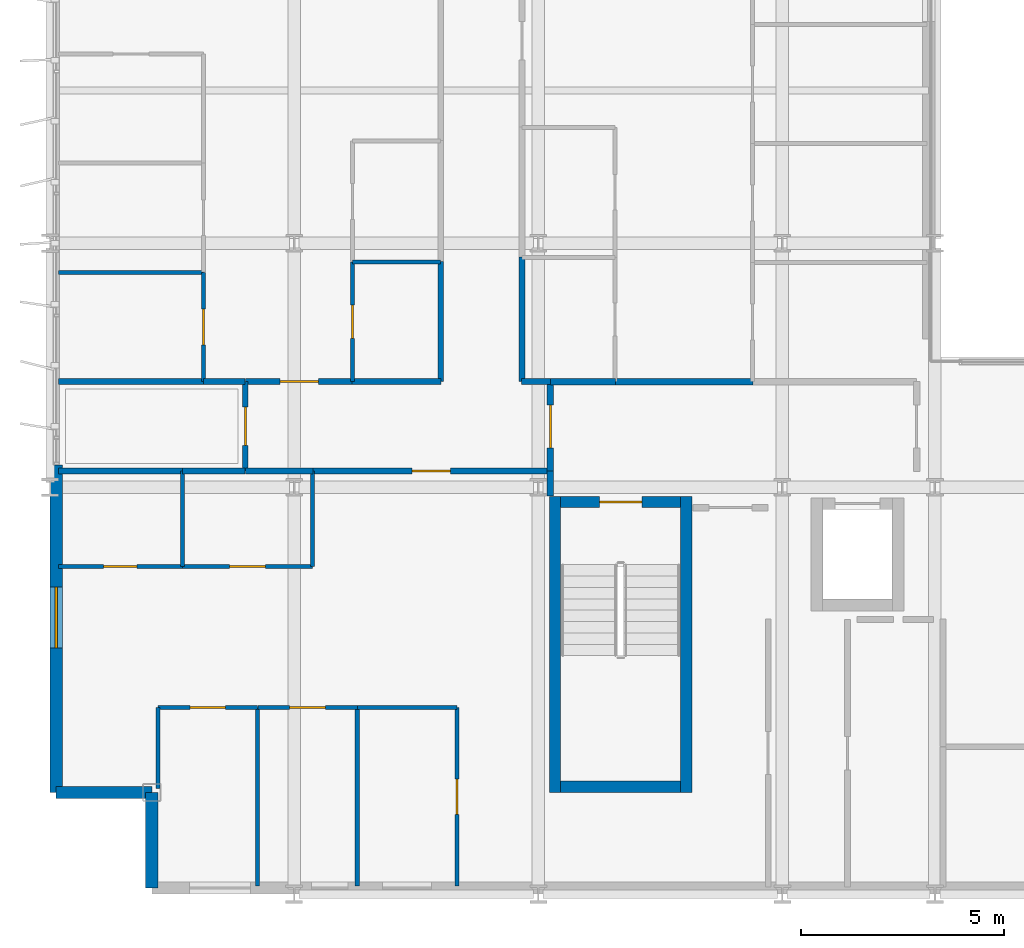
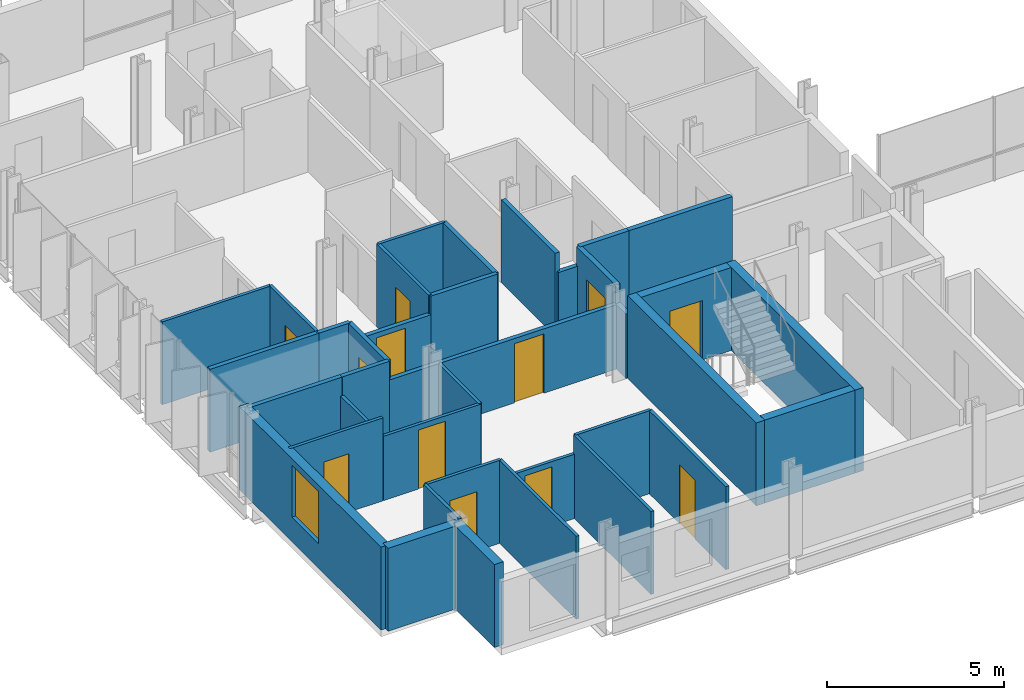
# One storey, part 27 of 38: 38 walls, 12 doors, 1 window, 13 openings.
"""IFC4 building model written with IfcOpenShell, lengths in metres."""

from ifc_helpers import new_model, si_unit, direction, frame, frame_2d, origin, place, context, subcontext, project, spatial, rectangle, extrude, material, layer, layer_set, type_object, element, fill, save


model = new_model("IFC4")

# Units and contexts
model_context = context("Model", 3, precision=1e-05, world=origin(), true_north=direction((0.0, 1.0)))
body_context = subcontext(model_context, "Body", "Model", "MODEL_VIEW")
ifc_project = project(units=[si_unit("LENGTHUNIT", "METRE"), si_unit("AREAUNIT", "SQUARE_METRE"), si_unit("VOLUMEUNIT", "CUBIC_METRE"), si_unit("PLANEANGLEUNIT", "RADIAN"), si_unit("MASSUNIT", "GRAM", prefix="KILO")], contexts=[model_context])

# Site, building, storey
site_placement = place(None, origin())
site = spatial("IfcSite", under=ifc_project, at=site_placement, CompositionType="ELEMENT")
building_placement = place(site_placement, origin())
building = spatial("IfcBuilding", under=site, at=building_placement, Name="Brevholm Reach", CompositionType="ELEMENT")
storey_placement = place(building_placement, frame((0.0, 0.0, 71.39990234375)))
storey = spatial("IfcBuildingStorey", under=building, at=storey_placement, Name="L20", CompositionType="ELEMENT", Elevation=71.39990234375)

# Walls
ifc_material_1 = material(Name="Concrete C50/60", Category="concrete")
ifc_layer_1 = layer(ifc_material_1, 0.280029296875)
ifc_layer_set_1 = layer_set([ifc_layer_1], Name="Concrete C50/60")
wall_type_1 = type_object("IfcWallType", Name="WAL-COR-280", PredefinedType="SHEAR", material=ifc_layer_set_1)
for number, where, z_axis, x_axis, name in (
    (1, (12.409912109375, 2.5, 0.0), (0.0, 0.0, 1.0), (0.0, 1.0, 0.0), "L20 Escape Stair ST-1 Core Wall W"),
    (2, (15.639892578125, 2.5, 0.0), (0.0, 0.0, 1.0), (0.0, 1.0, 0.0), "L20 Escape Stair ST-1 Core Wall E"),
):
    element("IfcWall", number, at=place(storey_placement, frame(where, z_axis=z_axis, x_axis=x_axis)), inside=storey, type_object=wall_type_1, Name=name, PredefinedType="SHEAR", context=body_context, shape_type="SweptSolid", body=[
        extrude(rectangle(XDim=7.280029296875, YDim=0.280029296875, at=frame_2d((3.64013671875, 0.0))), origin(), (0.0, 0.0, 1.0), 2.8701171875),
    ])
wall_1_placement = place(storey_placement, frame((12.550048828125, 2.639892578125, 0.0), z_axis=(0.0, 0.0, 1.0), x_axis=(1.0, 0.0, 0.0)))
element("IfcWall", 3, at=wall_1_placement, inside=storey, type_object=wall_type_1, Name="L20 Escape Stair ST-1 Core Wall S", PredefinedType="SHEAR", context=body_context, shape_type="SweptSolid", body=[
    extrude(rectangle(XDim=2.949951171875, YDim=0.280029296875, at=frame_2d((1.47509765625, 0.0))), origin(), (0.0, 0.0, 1.0), 2.8701171875),
])

# Wall, opening, door
wall_2_placement = place(storey_placement, frame((15.5, 9.639892578125, 0.0), z_axis=(0.0, 0.0, 1.0), x_axis=(-1.0, 0.0, 0.0)))
wall_2 = element("IfcWall", 4, at=wall_2_placement, inside=storey, type_object=wall_type_1, Name="L20 Escape Stair ST-1 Core Wall N", PredefinedType="SHEAR", context=body_context, shape_type="SweptSolid", body=[
    extrude(rectangle(XDim=2.949951171875, YDim=0.280029296875, at=frame_2d((1.47509765625, 0.0))), origin(), (0.0, 0.0, 1.0), 2.8701171875),
])
opening_1_placement = place(wall_2_placement, frame((0.949951171875, 0.0, 0.0)))
opening_1 = element("IfcOpeningElement", 5, at=opening_1_placement, cuts=wall_2, Name="Opening SD-ST-1", PredefinedType="OPENING", context=body_context, shape_type="SweptSolid", body=[
    extrude(rectangle(XDim=1.050048828125, YDim=2.06005859375, at=frame_2d((0.52490234375, 1.030029296875))), frame((0.0, 0.14990234375, 0.0), z_axis=(0.0, -1.0, 0.0), x_axis=(1.0, 0.0, 0.0)), (0.0, 0.0, 1.0), 0.300048828125),
])
ifc_material_2 = material(Name="Hardwood-Lipped Steel-Core Fire and Smoke Door", Category="steel")
door_type_1 = type_object("IfcDoorType", Name="DOR-INT-FD60S", OperationType="NOTDEFINED", PredefinedType="DOOR", material=ifc_material_2)
door_1_placement = place(opening_1_placement, origin())
door_1 = element("IfcDoor", 6, at=door_1_placement, inside=storey, type_object=door_type_1, Name="L20 Protected Stair ST-1 Lobby Door", OperationType="SINGLE_SWING_RIGHT", OverallHeight=2.06005859375, OverallWidth=1.050048828125, PredefinedType="DOOR", context=body_context, shape_type="SweptSolid", body=[
    extrude(rectangle(XDim=1.050048828125, YDim=2.06005859375, at=frame_2d((0.52490234375, 1.030029296875))), frame((0.0, 0.02490234375, 0.0), z_axis=(0.0, -1.0, 0.0), x_axis=(1.0, 0.0, 0.0)), (0.0, 0.0, 1.0), 0.050048828125),
])
fill(opening_1, door_1)

# Walls
ifc_material_3 = material(Name="Concrete C40/50", Category="concrete")
ifc_layer_2 = layer(ifc_material_3, 0.300048828125)
ifc_layer_set_2 = layer_set([ifc_layer_2], Name="Concrete C40/50")
wall_type_2 = type_object("IfcWallType", Name="WAL-EXT-300", PredefinedType="STANDARD", material=ifc_layer_set_2)
for number, where, z_axis, x_axis, name in (
    (7, (2.5, 2.5, 0.0), (0.0, 0.0, 1.0), (0.0, -1.0, 0.0), "L20 Facade Wall WAL-L20-CSW1"),
    (8, (0.14990234375, 2.5, 0.0), (0.0, 0.0, 1.0), (1.0, 0.0, 0.0), "L20 Facade Wall WAL-L20-CSW2"),
):
    element("IfcWall", number, at=place(storey_placement, frame(where, z_axis=z_axis, x_axis=x_axis)), inside=storey, type_object=wall_type_2, Name=name, PredefinedType="STANDARD", context=body_context, shape_type="SweptSolid", body=[
        extrude(rectangle(XDim=2.35009765625, YDim=0.300048828125, at=frame_2d((1.175048828125, 0.0))), origin(), (0.0, 0.0, 1.0), 2.8701171875),
    ])

# Wall, opening, window
wall_3_placement = place(storey_placement, frame((0.14990234375, 10.550048828125, 0.0), z_axis=(0.0, 0.0, 1.0), x_axis=(0.0, -1.0, 0.0)))
wall_3 = element("IfcWall", 9, at=wall_3_placement, inside=storey, type_object=wall_type_2, Name="L20 Facade Wall WAL-L20-W-S", PredefinedType="STANDARD", context=body_context, shape_type="SweptSolid", body=[
    extrude(rectangle(XDim=8.050048828125, YDim=0.300048828125, at=frame_2d((4.02490234375, 0.0))), origin(), (0.0, 0.0, 1.0), 2.8701171875),
])
opening_2_placement = place(wall_3_placement, frame((3.0, 0.0, 0.85009765625)))
opening_2 = element("IfcOpeningElement", 10, at=opening_2_placement, cuts=wall_3, Name="Opening WN-05", PredefinedType="OPENING", context=body_context, shape_type="SweptSolid", body=[
    extrude(rectangle(XDim=1.5, YDim=1.800048828125, at=frame_2d((0.75, 0.89990234375))), frame((0.0, 0.159912109375, 0.0), z_axis=(0.0, -1.0, 0.0), x_axis=(1.0, 0.0, 0.0)), (0.0, 0.0, 1.0), 0.320068359375),
])
ifc_material_4 = material(Name="Dark Anodised Aluminium and Solar-Control IGU Glass", Category="aluminium")
window_type = type_object("IfcWindowType", Name="WIN-RES-1500", PartitioningType="SINGLE_PANEL", PredefinedType="WINDOW", material=ifc_material_4)
window_placement = place(opening_2_placement, origin())
window = element("IfcWindow", 11, at=window_placement, inside=storey, type_object=window_type, Name="L20 Window WIN-L20-WS-1", OverallHeight=1.800048828125, OverallWidth=1.5, PartitioningType="SINGLE_PANEL", PredefinedType="WINDOW", context=body_context, shape_type="SweptSolid", body=[
    extrude(rectangle(XDim=1.5, YDim=1.800048828125, at=frame_2d((0.75, 0.89990234375))), frame((0.0, 0.030029296875, 0.0), z_axis=(0.0, -1.0, 0.0), x_axis=(1.0, 0.0, 0.0)), (0.0, 0.0, 1.0), 0.06005859375),
])
fill(opening_2, window)

# Wall
ifc_material_5 = material(Name="Moisture-Resistant Acoustic Gypsum Stud Partition 100 mm", Category="gypsum")
ifc_layer_3 = layer(ifc_material_5, 0.10009765625)
ifc_layer_set_3 = layer_set([ifc_layer_3], Name="Moisture-Resistant Acoustic Gypsum Stud Partition 100 mm")
wall_type_3 = type_object("IfcWallType", Name="WAL-PRT-100", PredefinedType="PARTITIONING", material=ifc_layer_set_3)
wall_4_placement = place(storey_placement, frame((3.25, 8.053955078125, 0.0), z_axis=(0.0, 0.0, 1.0), x_axis=(0.0, 1.0, 0.0)))
element("IfcWall", 12, at=wall_4_placement, inside=storey, type_object=wall_type_3, Name="L20 Internal Partition 060", PredefinedType="PARTITIONING", context=body_context, shape_type="SweptSolid", body=[
    extrude(rectangle(XDim=2.345947265625, YDim=0.10009765625, at=frame_2d((1.1728515625, 0.0))), origin(), (0.0, 0.0, 1.0), 2.224853515625),
])

# Wall, opening, door
wall_5_placement = place(storey_placement, frame((0.199951171875, 8.053955078125, 0.0), z_axis=(0.0, 0.0, 1.0), x_axis=(1.0, 0.0, 0.0)))
wall_5 = element("IfcWall", 13, at=wall_5_placement, inside=storey, type_object=wall_type_3, Name="L20 Internal Partition 061", PredefinedType="PARTITIONING", context=body_context, shape_type="SweptSolid", body=[
    extrude(rectangle(XDim=3.050048828125, YDim=0.10009765625, at=frame_2d((1.52490234375, 0.0))), origin(), (0.0, 0.0, 1.0), 2.8701171875),
])
opening_3_placement = place(wall_5_placement, frame((1.114990234375, 0.0, 0.0)))
opening_3 = element("IfcOpeningElement", 14, at=opening_3_placement, cuts=wall_5, Name="Opening ID-03", PredefinedType="OPENING", context=body_context, shape_type="SweptSolid", body=[
    extrude(rectangle(XDim=0.820068359375, YDim=2.02001953125, at=frame_2d((0.41015625, 1.010009765625))), frame((0.0, 0.06005859375, 0.0), z_axis=(0.0, -1.0, 0.0), x_axis=(1.0, 0.0, 0.0)), (0.0, 0.0, 1.0), 0.1201171875),
])
ifc_material_6 = material(Name="Moisture-Resistant Painted Timber Internal Bathroom Door", Category="wood")
door_type_2 = type_object("IfcDoorType", Name="DOR-BATH-820", OperationType="NOTDEFINED", PredefinedType="DOOR", material=ifc_material_6)
door_2_placement = place(opening_3_placement, origin())
door_2 = element("IfcDoor", 15, at=door_2_placement, inside=storey, type_object=door_type_2, Name="L20 Internal Door 021", OperationType="SINGLE_SWING_RIGHT", OverallHeight=2.02001953125, OverallWidth=0.820068359375, PredefinedType="DOOR", context=body_context, shape_type="SweptSolid", body=[
    extrude(rectangle(XDim=0.820068359375, YDim=2.02001953125, at=frame_2d((0.41015625, 1.010009765625))), frame((0.0, 0.02490234375, 0.0), z_axis=(0.0, -1.0, 0.0), x_axis=(1.0, 0.0, 0.0)), (0.0, 0.0, 1.0), 0.050048828125),
])
fill(opening_3, door_2)

wall_6_placement = place(storey_placement, frame((3.25390625, 8.053955078125, 0.0), z_axis=(0.0, 0.0, 1.0), x_axis=(1.0, 0.0, 0.0)))
wall_6 = element("IfcWall", 16, at=wall_6_placement, inside=storey, type_object=wall_type_3, Name="L20 Internal Partition 063", PredefinedType="PARTITIONING", context=body_context, shape_type="SweptSolid", body=[
    extrude(rectangle(XDim=3.196044921875, YDim=0.10009765625, at=frame_2d((1.59814453125, 0.0))), origin(), (0.0, 0.0, 1.0), 2.224853515625),
])
opening_4_placement = place(wall_6_placement, frame((1.157958984375, 0.0, 0.0)))
opening_4 = element("IfcOpeningElement", 17, at=opening_4_placement, cuts=wall_6, Name="Opening ID-01", PredefinedType="OPENING", context=body_context, shape_type="SweptSolid", body=[
    extrude(rectangle(XDim=0.8798828125, YDim=2.0400390625, at=frame_2d((0.43994140625, 1.02001953125))), frame((0.0, 0.06005859375, 0.0), z_axis=(0.0, -1.0, 0.0), x_axis=(1.0, 0.0, 0.0)), (0.0, 0.0, 1.0), 0.1201171875),
])
ifc_material_7 = material(Name="Lacquered Ash Solid-Core Acoustic Internal Door", Category="timber")
door_type_3 = type_object("IfcDoorType", Name="DOR-INT-880", OperationType="NOTDEFINED", PredefinedType="DOOR", material=ifc_material_7)
door_3_placement = place(opening_4_placement, origin())
door_3 = element("IfcDoor", 18, at=door_3_placement, inside=storey, type_object=door_type_3, Name="L20 Internal Door 022", OperationType="SINGLE_SWING_LEFT", OverallHeight=2.0400390625, OverallWidth=0.8798828125, PredefinedType="DOOR", context=body_context, shape_type="SweptSolid", body=[
    extrude(rectangle(XDim=0.8798828125, YDim=2.0400390625, at=frame_2d((0.43994140625, 1.02001953125))), frame((0.0, 0.02490234375, 0.0), z_axis=(0.0, -1.0, 0.0), x_axis=(1.0, 0.0, 0.0)), (0.0, 0.0, 1.0), 0.050048828125),
])
fill(opening_4, door_3)

# Walls
wall_7_placement = place(storey_placement, frame((6.449951171875, 8.053955078125, 0.0), z_axis=(0.0, 0.0, 1.0), x_axis=(0.0, 1.0, 0.0)))
element("IfcWall", 19, at=wall_7_placement, inside=storey, type_object=wall_type_3, Name="L20 Internal Partition 064", PredefinedType="PARTITIONING", context=body_context, shape_type="SweptSolid", body=[
    extrude(rectangle(XDim=2.342041015625, YDim=0.10009765625, at=frame_2d((1.1708984375, 0.0))), origin(), (0.0, 0.0, 1.0), 2.224853515625),
])
wall_8_placement = place(storey_placement, frame((5.10009765625, 0.199951171875, 0.0), z_axis=(0.0, 0.0, 1.0), x_axis=(0.0, 1.0, 0.0)))
element("IfcWall", 20, at=wall_8_placement, inside=storey, type_object=wall_type_3, Name="L20 Internal Partition 066", PredefinedType="PARTITIONING", context=body_context, shape_type="SweptSolid", body=[
    extrude(rectangle(XDim=4.385986328125, YDim=0.10009765625, at=frame_2d((2.19287109375, 0.0))), origin(), (0.0, 0.0, 1.0), 2.8701171875),
])
wall_9_placement = place(storey_placement, frame((2.64990234375, 2.599365234375, 0.0), z_axis=(0.0, 0.0, 1.0), x_axis=(0.0, 1.0, 0.0)))
element("IfcWall", 21, at=wall_9_placement, inside=storey, type_object=wall_type_3, Name="L20 Internal Partition 067", PredefinedType="PARTITIONING", context=body_context, shape_type="SweptSolid", body=[
    extrude(rectangle(XDim=1.986572265625, YDim=0.10009765625, at=frame_2d((0.9931640625, 0.0))), origin(), (0.0, 0.0, 1.0), 2.8701171875),
])

# Wall, opening, door
wall_10_placement = place(storey_placement, frame((2.64990234375, 4.5859375, 0.0), z_axis=(0.0, 0.0, 1.0), x_axis=(1.0, 0.0, 0.0)))
wall_10 = element("IfcWall", 22, at=wall_10_placement, inside=storey, type_object=wall_type_3, Name="L20 Internal Partition 068", PredefinedType="PARTITIONING", context=body_context, shape_type="SweptSolid", body=[
    extrude(rectangle(XDim=2.4501953125, YDim=0.10009765625, at=frame_2d((1.22509765625, 0.0))), origin(), (0.0, 0.0, 1.0), 2.8701171875),
])
opening_5_placement = place(wall_10_placement, frame((0.784912109375, 0.0, 0.0)))
opening_5 = element("IfcOpeningElement", 23, at=opening_5_placement, cuts=wall_10, Name="Opening ID-01", PredefinedType="OPENING", context=body_context, shape_type="SweptSolid", body=[
    extrude(rectangle(XDim=0.8798828125, YDim=2.0400390625, at=frame_2d((0.43994140625, 1.02001953125))), frame((0.0, 0.06005859375, 0.0), z_axis=(0.0, -1.0, 0.0), x_axis=(1.0, 0.0, 0.0)), (0.0, 0.0, 1.0), 0.1201171875),
])
door_4_placement = place(opening_5_placement, origin())
door_4 = element("IfcDoor", 24, at=door_4_placement, inside=storey, type_object=door_type_3, Name="L20 Internal Door 023", OperationType="SINGLE_SWING_RIGHT", OverallHeight=2.0400390625, OverallWidth=0.8798828125, PredefinedType="DOOR", context=body_context, shape_type="SweptSolid", body=[
    extrude(rectangle(XDim=0.8798828125, YDim=2.0400390625, at=frame_2d((0.43994140625, 1.02001953125))), frame((0.0, 0.02490234375, 0.0), z_axis=(0.0, -1.0, 0.0), x_axis=(1.0, 0.0, 0.0)), (0.0, 0.0, 1.0), 0.050048828125),
])
fill(opening_5, door_4)

# Wall
wall_11_placement = place(storey_placement, frame((7.550048828125, 0.199951171875, 0.0), z_axis=(0.0, 0.0, 1.0), x_axis=(0.0, 1.0, 0.0)))
element("IfcWall", 25, at=wall_11_placement, inside=storey, type_object=wall_type_3, Name="L20 Internal Partition 069", PredefinedType="PARTITIONING", context=body_context, shape_type="SweptSolid", body=[
    extrude(rectangle(XDim=4.385986328125, YDim=0.10009765625, at=frame_2d((2.19287109375, 0.0))), origin(), (0.0, 0.0, 1.0), 2.8701171875),
])

# Wall, opening, door
wall_12_placement = place(storey_placement, frame((5.10400390625, 4.5859375, 0.0), z_axis=(0.0, 0.0, 1.0), x_axis=(1.0, 0.0, 0.0)))
wall_12 = element("IfcWall", 26, at=wall_12_placement, inside=storey, type_object=wall_type_3, Name="L20 Internal Partition 070", PredefinedType="PARTITIONING", context=body_context, shape_type="SweptSolid", body=[
    extrude(rectangle(XDim=2.446044921875, YDim=0.10009765625, at=frame_2d((1.22314453125, 0.0))), origin(), (0.0, 0.0, 1.0), 2.224853515625),
])
opening_6_placement = place(wall_12_placement, frame((0.782958984375, 0.0, 0.0)))
opening_6 = element("IfcOpeningElement", 27, at=opening_6_placement, cuts=wall_12, Name="Opening ID-01", PredefinedType="OPENING", context=body_context, shape_type="SweptSolid", body=[
    extrude(rectangle(XDim=0.8798828125, YDim=2.0400390625, at=frame_2d((0.43994140625, 1.02001953125))), frame((0.0, 0.06005859375, 0.0), z_axis=(0.0, -1.0, 0.0), x_axis=(1.0, 0.0, 0.0)), (0.0, 0.0, 1.0), 0.1201171875),
])
door_5_placement = place(opening_6_placement, origin())
door_5 = element("IfcDoor", 28, at=door_5_placement, inside=storey, type_object=door_type_3, Name="L20 Internal Door 024", OperationType="SINGLE_SWING_LEFT", OverallHeight=2.0400390625, OverallWidth=0.8798828125, PredefinedType="DOOR", context=body_context, shape_type="SweptSolid", body=[
    extrude(rectangle(XDim=0.8798828125, YDim=2.0400390625, at=frame_2d((0.43994140625, 1.02001953125))), frame((0.0, 0.02490234375, 0.0), z_axis=(0.0, -1.0, 0.0), x_axis=(1.0, 0.0, 0.0)), (0.0, 0.0, 1.0), 0.050048828125),
])
fill(opening_6, door_5)

wall_13_placement = place(storey_placement, frame((10.0, 0.199951171875, 0.0), z_axis=(0.0, 0.0, 1.0), x_axis=(0.0, 1.0, 0.0)))
wall_13 = element("IfcWall", 29, at=wall_13_placement, inside=storey, type_object=wall_type_3, Name="L20 Internal Partition 071", PredefinedType="PARTITIONING", context=body_context, shape_type="SweptSolid", body=[
    extrude(rectangle(XDim=4.385986328125, YDim=0.10009765625, at=frame_2d((2.19287109375, 0.0))), origin(), (0.0, 0.0, 1.0), 2.8701171875),
])
opening_7_placement = place(wall_13_placement, frame((1.7529296875, 0.0, 0.0)))
opening_7 = element("IfcOpeningElement", 30, at=opening_7_placement, cuts=wall_13, Name="Opening ID-01", PredefinedType="OPENING", context=body_context, shape_type="SweptSolid", body=[
    extrude(rectangle(XDim=0.8798828125, YDim=2.0400390625, at=frame_2d((0.43994140625, 1.02001953125))), frame((0.0, 0.06005859375, 0.0), z_axis=(0.0, -1.0, 0.0), x_axis=(1.0, 0.0, 0.0)), (0.0, 0.0, 1.0), 0.1201171875),
])
door_6_placement = place(opening_7_placement, origin())
door_6 = element("IfcDoor", 31, at=door_6_placement, inside=storey, type_object=door_type_3, Name="L20 Internal Door 025", OperationType="SINGLE_SWING_RIGHT", OverallHeight=2.0400390625, OverallWidth=0.8798828125, PredefinedType="DOOR", context=body_context, shape_type="SweptSolid", body=[
    extrude(rectangle(XDim=0.8798828125, YDim=2.0400390625, at=frame_2d((0.43994140625, 1.02001953125))), frame((0.0, 0.02490234375, 0.0), z_axis=(0.0, -1.0, 0.0), x_axis=(1.0, 0.0, 0.0)), (0.0, 0.0, 1.0), 0.050048828125),
])
fill(opening_7, door_6)

# Walls
wall_14_placement = place(storey_placement, frame((7.553955078125, 4.5859375, 0.0), z_axis=(0.0, 0.0, 1.0), x_axis=(1.0, 0.0, 0.0)))
element("IfcWall", 32, at=wall_14_placement, inside=storey, type_object=wall_type_3, Name="L20 Internal Partition 072", PredefinedType="PARTITIONING", context=body_context, shape_type="SweptSolid", body=[
    extrude(rectangle(XDim=2.446044921875, YDim=0.10009765625, at=frame_2d((1.22314453125, 0.0))), origin(), (0.0, 0.0, 1.0), 2.8701171875),
])
wall_15_placement = place(storey_placement, frame((7.43798828125, 15.5419921875, 0.0), z_axis=(0.0, 0.0, 1.0), x_axis=(1.0, 0.0, 0.0)))
element("IfcWall", 33, at=wall_15_placement, inside=storey, type_object=wall_type_3, Name="L20 Internal Partition 087", PredefinedType="PARTITIONING", context=body_context, shape_type="SweptSolid", body=[
    extrude(rectangle(XDim=2.157958984375, YDim=0.10009765625, at=frame_2d((1.0791015625, 0.0))), origin(), (0.0, 0.0, 1.0), 2.8701171875),
])

# Wall, opening, door
wall_16_placement = place(storey_placement, frame((7.43798828125, 12.60400390625, 0.0), z_axis=(0.0, 0.0, 1.0), x_axis=(0.0, 1.0, 0.0)))
wall_16 = element("IfcWall", 34, at=wall_16_placement, inside=storey, type_object=wall_type_3, Name="L20 Internal Partition 088", PredefinedType="PARTITIONING", context=body_context, shape_type="SweptSolid", body=[
    extrude(rectangle(XDim=2.93798828125, YDim=0.10009765625, at=frame_2d((1.468994140625, 0.0))), origin(), (0.0, 0.0, 1.0), 2.8701171875),
])
opening_8_placement = place(wall_16_placement, frame((1.05908203125, 0.0, 0.0)))
opening_8 = element("IfcOpeningElement", 35, at=opening_8_placement, cuts=wall_16, Name="Opening ID-03", PredefinedType="OPENING", context=body_context, shape_type="SweptSolid", body=[
    extrude(rectangle(XDim=0.820068359375, YDim=2.02001953125, at=frame_2d((0.41015625, 1.010009765625))), frame((0.0, 0.06005859375, 0.0), z_axis=(0.0, -1.0, 0.0), x_axis=(1.0, 0.0, 0.0)), (0.0, 0.0, 1.0), 0.1201171875),
])
door_7_placement = place(opening_8_placement, origin())
door_7 = element("IfcDoor", 36, at=door_7_placement, inside=storey, type_object=door_type_2, Name="L20 Internal Door 030", OperationType="SINGLE_SWING_LEFT", OverallHeight=2.02001953125, OverallWidth=0.820068359375, PredefinedType="DOOR", context=body_context, shape_type="SweptSolid", body=[
    extrude(rectangle(XDim=0.820068359375, YDim=2.02001953125, at=frame_2d((0.41015625, 1.010009765625))), frame((0.0, 0.02490234375, 0.0), z_axis=(0.0, -1.0, 0.0), x_axis=(1.0, 0.0, 0.0)), (0.0, 0.0, 1.0), 0.050048828125),
])
fill(opening_8, door_7)

# Wall
wall_17_placement = place(storey_placement, frame((0.199951171875, 15.284912109375, 0.0), z_axis=(0.0, 0.0, 1.0), x_axis=(1.0, 0.0, 0.0)))
element("IfcWall", 37, at=wall_17_placement, inside=storey, type_object=wall_type_3, Name="L20 Internal Partition 091", PredefinedType="PARTITIONING", context=body_context, shape_type="SweptSolid", body=[
    extrude(rectangle(XDim=3.572021484375, YDim=0.10009765625, at=frame_2d((1.7861328125, 0.0))), origin(), (0.0, 0.0, 1.0), 2.8701171875),
])

# Wall, opening, door
wall_18_placement = place(storey_placement, frame((3.77197265625, 12.60400390625, 0.0), z_axis=(0.0, 0.0, 1.0), x_axis=(0.0, 1.0, 0.0)))
wall_18 = element("IfcWall", 38, at=wall_18_placement, inside=storey, type_object=wall_type_3, Name="L20 Internal Partition 092", PredefinedType="PARTITIONING", context=body_context, shape_type="SweptSolid", body=[
    extrude(rectangle(XDim=2.680908203125, YDim=0.10009765625, at=frame_2d((1.34033203125, 0.0))), origin(), (0.0, 0.0, 1.0), 2.8701171875),
])
opening_9_placement = place(wall_18_placement, frame((0.900390625, 0.0, 0.0)))
opening_9 = element("IfcOpeningElement", 39, at=opening_9_placement, cuts=wall_18, Name="Opening ID-01", PredefinedType="OPENING", context=body_context, shape_type="SweptSolid", body=[
    extrude(rectangle(XDim=0.8798828125, YDim=2.0400390625, at=frame_2d((0.43994140625, 1.02001953125))), frame((0.0, 0.06005859375, 0.0), z_axis=(0.0, -1.0, 0.0), x_axis=(1.0, 0.0, 0.0)), (0.0, 0.0, 1.0), 0.1201171875),
])
door_8_placement = place(opening_9_placement, origin())
door_8 = element("IfcDoor", 40, at=door_8_placement, inside=storey, type_object=door_type_3, Name="L20 Internal Door 032", OperationType="SINGLE_SWING_LEFT", OverallHeight=2.0400390625, OverallWidth=0.8798828125, PredefinedType="DOOR", context=body_context, shape_type="SweptSolid", body=[
    extrude(rectangle(XDim=0.8798828125, YDim=2.0400390625, at=frame_2d((0.43994140625, 1.02001953125))), frame((0.0, 0.02490234375, 0.0), z_axis=(0.0, -1.0, 0.0), x_axis=(1.0, 0.0, 0.0)), (0.0, 0.0, 1.0), 0.050048828125),
])
fill(opening_9, door_8)

# Wall
ifc_material_8 = material(Name="Twin-Stud Acoustic Fire-Rated Gypsum Partition 140 mm", Category="gypsum")
ifc_layer_4 = layer(ifc_material_8, 0.139892578125)
ifc_layer_set_4 = layer_set([ifc_layer_4], Name="Twin-Stud Acoustic Fire-Rated Gypsum Partition 140 mm")
wall_type_4 = type_object("IfcWallType", Name="WAL-PRT-140", PredefinedType="PARTITIONING", material=ifc_layer_set_4)
wall_19_placement = place(storey_placement, frame((4.800048828125, 10.39990234375, 0.0), z_axis=(0.0, 0.0, 1.0), x_axis=(1.0, 0.0, 0.0)))
element("IfcWall", 41, at=wall_19_placement, inside=storey, type_object=wall_type_4, Name="L20 Internal Partition 025", PredefinedType="PARTITIONING", context=body_context, shape_type="SweptSolid", body=[
    extrude(rectangle(XDim=1.6611328125, YDim=0.139892578125, at=frame_2d((0.83056640625, 0.0))), origin(), (0.0, 0.0, 1.0), 2.224853515625),
])

# Wall, opening, door
wall_20_placement = place(storey_placement, frame((6.442626953125, 10.39990234375, 0.0), z_axis=(0.0, 0.0, 1.0), x_axis=(1.0, 0.0, 0.0)))
wall_20 = element("IfcWall", 42, at=wall_20_placement, inside=storey, type_object=wall_type_4, Name="L20 Internal Partition 026", PredefinedType="PARTITIONING", context=body_context, shape_type="SweptSolid", body=[
    extrude(rectangle(XDim=5.853271484375, YDim=0.139892578125, at=frame_2d((2.9267578125, 0.0))), origin(), (0.0, 0.0, 1.0), 2.224853515625),
])
opening_10_placement = place(wall_20_placement, frame((2.45166015625, 0.0, 0.0)))
opening_10 = element("IfcOpeningElement", 43, at=opening_10_placement, cuts=wall_20, Name="Opening ID-30", PredefinedType="OPENING", context=body_context, shape_type="SweptSolid", body=[
    extrude(rectangle(XDim=0.949951171875, YDim=2.050048828125, at=frame_2d((0.47509765625, 1.02490234375))), frame((0.0, 0.079833984375, 0.0), z_axis=(0.0, -1.0, 0.0), x_axis=(1.0, 0.0, 0.0)), (0.0, 0.0, 1.0), 0.159912109375),
])
ifc_material_9 = material(Name="European Oak Veneered Solid-Core Fire Entrance Door", Category="timber")
door_type_4 = type_object("IfcDoorType", Name="DOR-FLT-FD30S", OperationType="NOTDEFINED", PredefinedType="DOOR", material=ifc_material_9)
door_9_placement = place(opening_10_placement, origin())
door_9 = element("IfcDoor", 44, at=door_9_placement, inside=storey, type_object=door_type_4, Name="L20 Internal Door 012", OperationType="SINGLE_SWING_LEFT", OverallHeight=2.050048828125, OverallWidth=0.949951171875, PredefinedType="DOOR", context=body_context, shape_type="SweptSolid", body=[
    extrude(rectangle(XDim=0.949951171875, YDim=2.050048828125, at=frame_2d((0.47509765625, 1.02490234375))), frame((0.0, 0.02490234375, 0.0), z_axis=(0.0, -1.0, 0.0), x_axis=(1.0, 0.0, 0.0)), (0.0, 0.0, 1.0), 0.050048828125),
])
fill(opening_10, door_9)

wall_21_placement = place(storey_placement, frame((4.800048828125, 10.39990234375, 0.0), z_axis=(0.0, 0.0, 1.0), x_axis=(0.0, 1.0, 0.0)))
wall_21 = element("IfcWall", 45, at=wall_21_placement, inside=storey, type_object=wall_type_4, Name="L20 Internal Partition 027", PredefinedType="PARTITIONING", context=body_context, shape_type="SweptSolid", body=[
    extrude(rectangle(XDim=2.2001953125, YDim=0.139892578125, at=frame_2d((1.10009765625, 0.0))), origin(), (0.0, 0.0, 1.0), 2.8701171875),
])
opening_11_placement = place(wall_21_placement, frame((0.625, 0.0, 0.0)))
opening_11 = element("IfcOpeningElement", 46, at=opening_11_placement, cuts=wall_21, Name="Opening ID-30", PredefinedType="OPENING", context=body_context, shape_type="SweptSolid", body=[
    extrude(rectangle(XDim=0.949951171875, YDim=2.050048828125, at=frame_2d((0.47509765625, 1.02490234375))), frame((0.0, 0.079833984375, 0.0), z_axis=(0.0, -1.0, 0.0), x_axis=(1.0, 0.0, 0.0)), (0.0, 0.0, 1.0), 0.159912109375),
])
door_10_placement = place(opening_11_placement, origin())
door_10 = element("IfcDoor", 47, at=door_10_placement, inside=storey, type_object=door_type_4, Name="L20 Internal Door 013", OperationType="SINGLE_SWING_RIGHT", OverallHeight=2.050048828125, OverallWidth=0.949951171875, PredefinedType="DOOR", context=body_context, shape_type="SweptSolid", body=[
    extrude(rectangle(XDim=0.949951171875, YDim=2.050048828125, at=frame_2d((0.47509765625, 1.02490234375))), frame((0.0, 0.02490234375, 0.0), z_axis=(0.0, -1.0, 0.0), x_axis=(1.0, 0.0, 0.0)), (0.0, 0.0, 1.0), 0.050048828125),
])
fill(opening_11, door_10)

# Wall
wall_22_placement = place(storey_placement, frame((7.4267578125, 12.60009765625, 0.0), z_axis=(0.0, 0.0, 1.0), x_axis=(1.0, 0.0, 0.0)))
element("IfcWall", 48, at=wall_22_placement, inside=storey, type_object=wall_type_4, Name="L20 Internal Partition 028", PredefinedType="PARTITIONING", context=body_context, shape_type="SweptSolid", body=[
    extrude(rectangle(XDim=2.1806640625, YDim=0.139892578125, at=frame_2d((1.09033203125, 0.0))), origin(), (0.0, 0.0, 1.0), 2.8701171875),
])

# Wall, opening, door
wall_23_placement = place(storey_placement, frame((4.800048828125, 12.60009765625, 0.0), z_axis=(0.0, 0.0, 1.0), x_axis=(1.0, 0.0, 0.0)))
wall_23 = element("IfcWall", 49, at=wall_23_placement, inside=storey, type_object=wall_type_4, Name="L20 Internal Partition 029", PredefinedType="PARTITIONING", context=body_context, shape_type="SweptSolid", body=[
    extrude(rectangle(XDim=2.645263671875, YDim=0.139892578125, at=frame_2d((1.32275390625, 0.0))), origin(), (0.0, 0.0, 1.0), 2.224853515625),
])
opening_12_placement = place(wall_23_placement, frame((0.84765625, 0.0, 0.0)))
opening_12 = element("IfcOpeningElement", 50, at=opening_12_placement, cuts=wall_23, Name="Opening ID-30", PredefinedType="OPENING", context=body_context, shape_type="SweptSolid", body=[
    extrude(rectangle(XDim=0.949951171875, YDim=2.050048828125, at=frame_2d((0.47509765625, 1.02490234375))), frame((0.0, 0.079833984375, 0.0), z_axis=(0.0, -1.0, 0.0), x_axis=(1.0, 0.0, 0.0)), (0.0, 0.0, 1.0), 0.159912109375),
])
door_11_placement = place(opening_12_placement, origin())
door_11 = element("IfcDoor", 51, at=door_11_placement, inside=storey, type_object=door_type_4, Name="L20 Internal Door 014", OperationType="SINGLE_SWING_LEFT", OverallHeight=2.050048828125, OverallWidth=0.949951171875, PredefinedType="DOOR", context=body_context, shape_type="SweptSolid", body=[
    extrude(rectangle(XDim=0.949951171875, YDim=2.050048828125, at=frame_2d((0.47509765625, 1.02490234375))), frame((0.0, 0.02490234375, 0.0), z_axis=(0.0, -1.0, 0.0), x_axis=(1.0, 0.0, 0.0)), (0.0, 0.0, 1.0), 0.050048828125),
])
fill(opening_12, door_11)

# Walls
wall_24_placement = place(storey_placement, frame((11.5927734375, 12.60009765625, 0.0), z_axis=(0.0, 0.0, 1.0), x_axis=(1.0, 0.0, 0.0)))
element("IfcWall", 52, at=wall_24_placement, inside=storey, type_object=wall_type_4, Name="L20 Internal Partition 030", PredefinedType="PARTITIONING", context=body_context, shape_type="SweptSolid", body=[
    extrude(rectangle(XDim=0.703125, YDim=0.139892578125, at=frame_2d((0.3515625, 0.0))), origin(), (0.0, 0.0, 1.0), 2.224853515625),
])
wall_25_placement = place(storey_placement, frame((9.60009765625, 12.60400390625, 0.0), z_axis=(0.0, 0.0, 1.0), x_axis=(0.0, 1.0, 0.0)))
element("IfcWall", 53, at=wall_25_placement, inside=storey, type_object=wall_type_4, Name="L20 Internal Partition 034", PredefinedType="PARTITIONING", context=body_context, shape_type="SweptSolid", body=[
    extrude(rectangle(XDim=2.94921875, YDim=0.139892578125, at=frame_2d((1.474609375, 0.0))), origin(), (0.0, 0.0, 1.0), 2.8701171875),
])
wall_26_placement = place(storey_placement, frame((11.60009765625, 12.60400390625, 0.0), z_axis=(0.0, 0.0, 1.0), x_axis=(0.0, 1.0, 0.0)))
element("IfcWall", 54, at=wall_26_placement, inside=storey, type_object=wall_type_4, Name="L20 Internal Partition 040", PredefinedType="PARTITIONING", context=body_context, shape_type="SweptSolid", body=[
    extrude(rectangle(XDim=3.057373046875, YDim=0.139892578125, at=frame_2d((1.52880859375, 0.0))), origin(), (0.0, 0.0, 1.0), 2.8701171875),
])
wall_27_placement = place(storey_placement, frame((0.199951171875, 10.39990234375, 0.0), z_axis=(0.0, 0.0, 1.0), x_axis=(1.0, 0.0, 0.0)))
element("IfcWall", 55, at=wall_27_placement, inside=storey, type_object=wall_type_4, Name="L20 Internal Partition 062", PredefinedType="PARTITIONING", context=body_context, shape_type="SweptSolid", body=[
    extrude(rectangle(XDim=3.050048828125, YDim=0.139892578125, at=frame_2d((1.52490234375, 0.0))), origin(), (0.0, 0.0, 1.0), 2.8701171875),
])
wall_28_placement = place(storey_placement, frame((3.25390625, 10.39990234375, 0.0), z_axis=(0.0, 0.0, 1.0), x_axis=(1.0, 0.0, 0.0)))
element("IfcWall", 56, at=wall_28_placement, inside=storey, type_object=wall_type_4, Name="L20 Internal Partition 065", PredefinedType="PARTITIONING", context=body_context, shape_type="SweptSolid", body=[
    extrude(rectangle(XDim=1.5419921875, YDim=0.139892578125, at=frame_2d((0.77099609375, 0.0))), origin(), (0.0, 0.0, 1.0), 2.8701171875),
])
wall_29_placement = place(storey_placement, frame((0.199951171875, 12.60009765625, 0.0), z_axis=(0.0, 0.0, 1.0), x_axis=(1.0, 0.0, 0.0)))
element("IfcWall", 57, at=wall_29_placement, inside=storey, type_object=wall_type_4, Name="L20 Internal Partition 073", PredefinedType="PARTITIONING", context=body_context, shape_type="SweptSolid", body=[
    extrude(rectangle(XDim=3.583251953125, YDim=0.139892578125, at=frame_2d((1.79150390625, 0.0))), origin(), (0.0, 0.0, 1.0), 2.8701171875),
])
wall_30_placement = place(storey_placement, frame((3.7646484375, 12.60009765625, 0.0), z_axis=(0.0, 0.0, 1.0), x_axis=(1.0, 0.0, 0.0)))
element("IfcWall", 58, at=wall_30_placement, inside=storey, type_object=wall_type_4, Name="L20 Internal Partition 074", PredefinedType="PARTITIONING", context=body_context, shape_type="SweptSolid", body=[
    extrude(rectangle(XDim=1.03125, YDim=0.139892578125, at=frame_2d((0.515625, 0.0))), origin(), (0.0, 0.0, 1.0), 2.8701171875),
])

# Wall, opening, door
ifc_material_10 = material(Name="Twin-Frame Fire-Rated Gypsum Board and Mineral Wool 160 mm", Category="gypsum")
ifc_layer_5 = layer(ifc_material_10, 0.159912109375)
ifc_layer_set_5 = layer_set([ifc_layer_5], Name="Twin-Frame Fire-Rated Gypsum Board and Mineral Wool 160 mm")
wall_type_5 = type_object("IfcWallType", Name="WAL-PRT-160", PredefinedType="PARTITIONING", material=ifc_layer_set_5)
wall_31_placement = place(storey_placement, frame((12.300048828125, 10.388671875, 0.0), z_axis=(0.0, 0.0, 1.0), x_axis=(0.0, 1.0, 0.0)))
wall_31 = element("IfcWall", 59, at=wall_31_placement, inside=storey, type_object=wall_type_5, Name="L20 Internal Partition 014", PredefinedType="PARTITIONING", context=body_context, shape_type="SweptSolid", body=[
    extrude(rectangle(XDim=2.21142578125, YDim=0.159912109375, at=frame_2d((1.105712890625, 0.0))), origin(), (0.0, 0.0, 1.0), 2.8701171875),
])
opening_13_placement = place(wall_31_placement, frame((0.58056640625, 0.0, 0.0)))
opening_13 = element("IfcOpeningElement", 60, at=opening_13_placement, cuts=wall_31, Name="Opening FD-01", PredefinedType="OPENING", context=body_context, shape_type="SweptSolid", body=[
    extrude(rectangle(XDim=1.050048828125, YDim=2.06005859375, at=frame_2d((0.52490234375, 1.030029296875))), frame((0.0, 0.08984375, 0.0), z_axis=(0.0, -1.0, 0.0), x_axis=(1.0, 0.0, 0.0)), (0.0, 0.0, 1.0), 0.179931640625),
])
door_12_placement = place(opening_13_placement, origin())
door_12 = element("IfcDoor", 61, at=door_12_placement, inside=storey, type_object=door_type_1, Name="L20 Internal Door 008", OperationType="SINGLE_SWING_LEFT", OverallHeight=2.06005859375, OverallWidth=1.050048828125, PredefinedType="DOOR", context=body_context, shape_type="SweptSolid", body=[
    extrude(rectangle(XDim=1.050048828125, YDim=2.06005859375, at=frame_2d((0.52490234375, 1.030029296875))), frame((0.0, 0.02490234375, 0.0), z_axis=(0.0, -1.0, 0.0), x_axis=(1.0, 0.0, 0.0)), (0.0, 0.0, 1.0), 0.050048828125),
])
fill(opening_13, door_12)

# Walls
wall_32_placement = place(storey_placement, frame((12.300048828125, 9.7900390625, 0.0), z_axis=(0.0, 0.0, 1.0), x_axis=(0.0, 1.0, 0.0)))
element("IfcWall", 62, at=wall_32_placement, inside=storey, type_object=wall_type_5, Name="L20 Internal Partition 016", PredefinedType="PARTITIONING", context=body_context, shape_type="SweptSolid", body=[
    extrude(rectangle(XDim=0.6171875, YDim=0.159912109375, at=frame_2d((0.30859375, 0.0))), origin(), (0.0, 0.0, 1.0), 2.224853515625),
])
wall_33_placement = place(storey_placement, frame((12.300048828125, 12.60009765625, 0.0), z_axis=(0.0, 0.0, 1.0), x_axis=(1.0, 0.0, 0.0)))
element("IfcWall", 63, at=wall_33_placement, inside=storey, type_object=wall_type_5, Name="L20 Internal Partition 017", PredefinedType="PARTITIONING", context=body_context, shape_type="SweptSolid", body=[
    extrude(rectangle(XDim=1.600341796875, YDim=0.159912109375, at=frame_2d((0.80029296875, 0.0))), origin(), (0.0, 0.0, 1.0), 2.8701171875),
])
wall_34_placement = place(storey_placement, frame((13.881591796875, 12.60009765625, 0.0), z_axis=(0.0, 0.0, 1.0), x_axis=(1.0, 0.0, 0.0)))
element("IfcWall", 64, at=wall_34_placement, inside=storey, type_object=wall_type_5, Name="L20 Internal Partition 019", PredefinedType="PARTITIONING", context=body_context, shape_type="SweptSolid", body=[
    extrude(rectangle(XDim=3.396728515625, YDim=0.159912109375, at=frame_2d((1.6982421875, 0.0))), origin(), (0.0, 0.0, 1.0), 2.8701171875),
])

save(model, "model.ifc")
